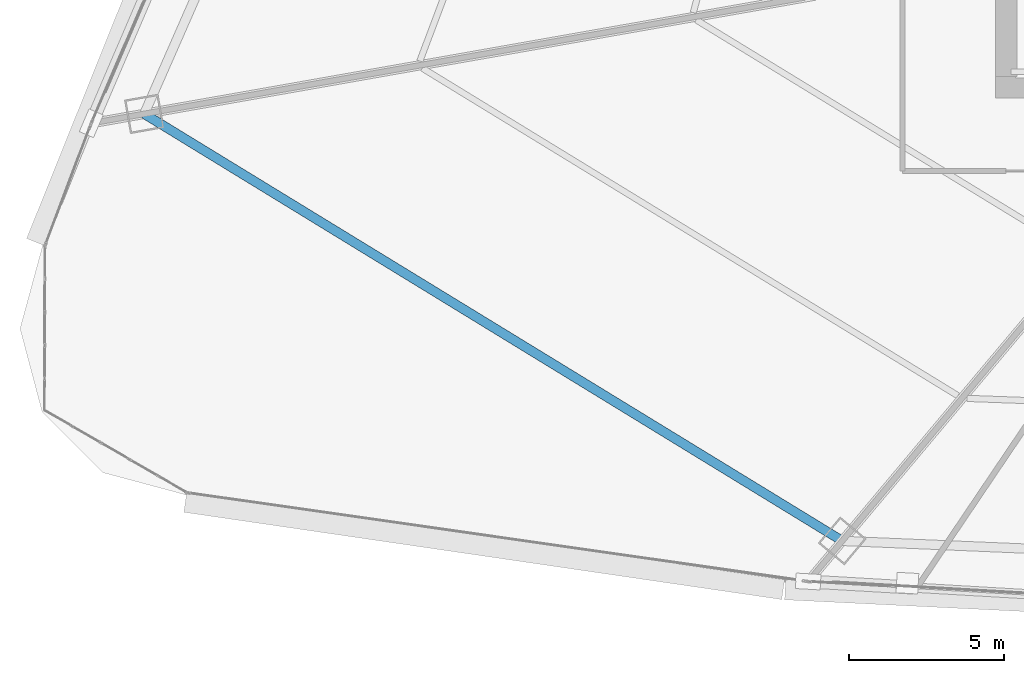
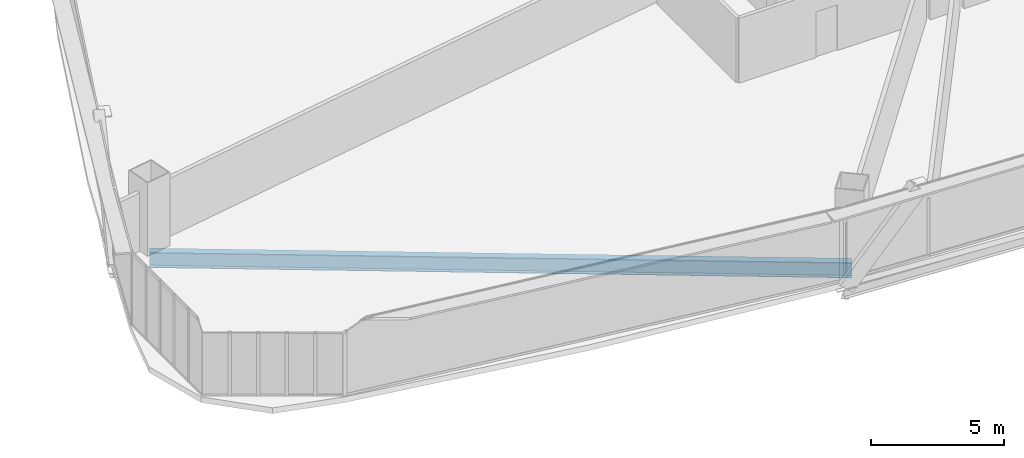
# One storey, part 5 of 42: 1 beam.
"""IFC4 building model written with IfcOpenShell, lengths in metres."""

from ifc_helpers import new_model, si_unit, direction, frame, origin, origin_2d, place, context, subcontext, project, spatial, i_section, extrude, source, transform, mapped, material, material_profile, profile_set, type_object, element, save


model = new_model("IFC4")

# Units and contexts
model_context = context("Model", 3, precision=1e-05, world=origin(), true_north=direction((0.0, 1.0)))
body_context = subcontext(model_context, "Body", "Model", "MODEL_VIEW")
ifc_project = project(units=[si_unit("LENGTHUNIT", "METRE"), si_unit("AREAUNIT", "SQUARE_METRE"), si_unit("VOLUMEUNIT", "CUBIC_METRE"), si_unit("PLANEANGLEUNIT", "RADIAN"), si_unit("MASSUNIT", "GRAM", prefix="KILO"), si_unit("THERMODYNAMICTEMPERATUREUNIT", "KELVIN"), si_unit("POWERUNIT", "WATT")], contexts=[model_context])

# Site, building, storey
site_placement = place(None, origin())
site = spatial("IfcSite", under=ifc_project, at=site_placement, CompositionType="ELEMENT")
building_placement = place(site_placement, origin())
building = spatial("IfcBuilding", under=site, at=building_placement, Name="Yunzhuo Pagoda Commons", CompositionType="ELEMENT")
storey_placement = place(building_placement, frame((0.0, 0.0, 48.550048828125)))
storey = spatial("IfcBuildingStorey", under=building, at=storey_placement, Name="L12", CompositionType="ELEMENT", Elevation=48.550048828125)

# Beam
ifc_material = material(Name="Structural steel Q355B", Category="steel")
ifc_material_profile = material_profile(ifc_material, i_section(OverallWidth=0.300048828125, OverallDepth=0.699951171875, WebThickness=0.012939453125, FlangeThickness=0.02392578125, at=origin_2d()), Name="Structural steel Q355B")
ifc_profile_set = profile_set([ifc_material_profile], Name="Structural steel Q355B")
beam_type = type_object("IfcBeamType", Name="B-RG1 Beam HN 700x300x13x24", PredefinedType="BEAM", material=ifc_profile_set)
shared_shape = source(origin(), body_context, "Body", "SweptSolid", [
    extrude(i_section(OverallWidth=0.300048828125, OverallDepth=0.699951171875, WebThickness=0.012939453125, FlangeThickness=0.02392578125, at=origin_2d()), origin(), (0.0, 0.0, 1.0), 26.432373046875),
])
beam_placement = place(storey_placement, frame((7.952392578125, 26.638427734375, -0.610107421875), z_axis=(0.853031728928, -0.521859051318, 0.0), x_axis=(0.521859051318, 0.853031728928, 0.0)))
element("IfcBeam", 1, at=beam_placement, inside=storey, type_object=beam_type, Name="L12 column-ring beam 12", PredefinedType="BEAM", context=body_context, shape_type="MappedRepresentation", body=[
    mapped(shared_shape, transform((0.0, 0.0, 0.0), scale=1.0)),
])

save(model, "model.ifc")
